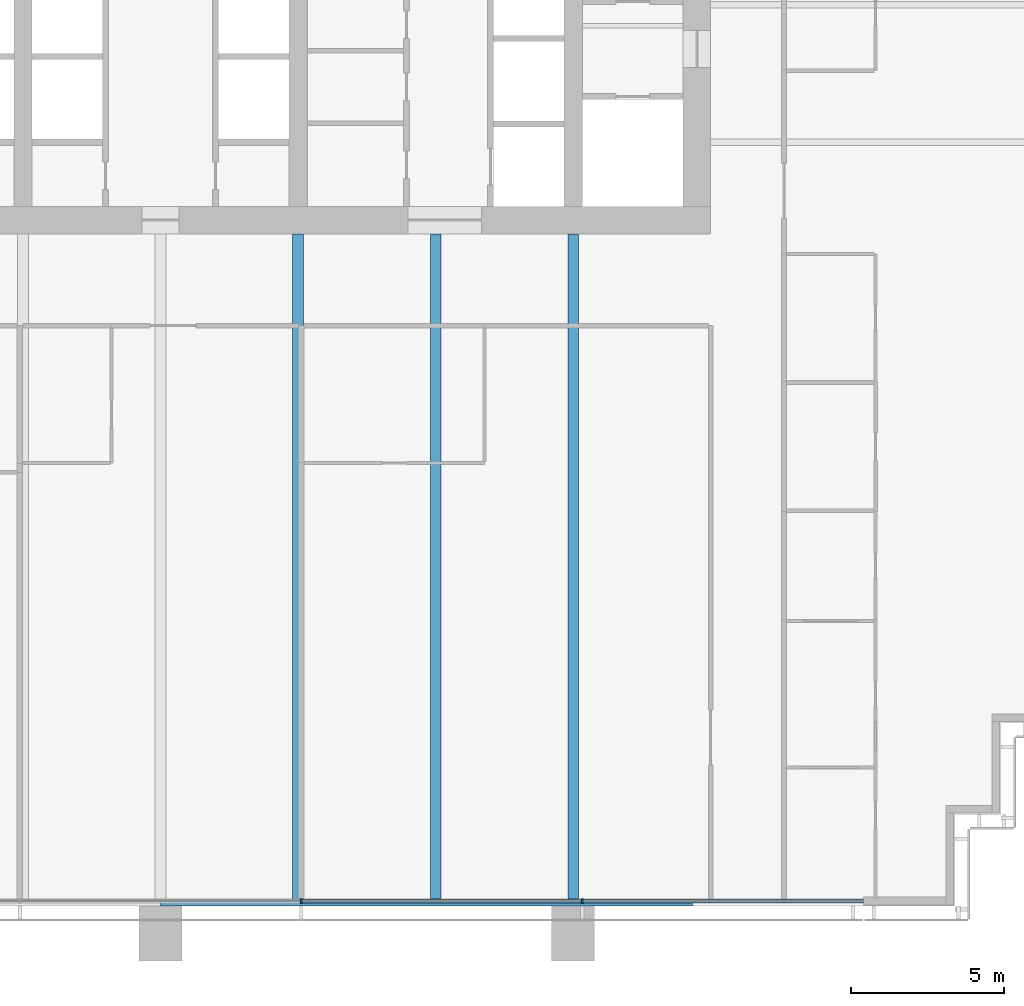
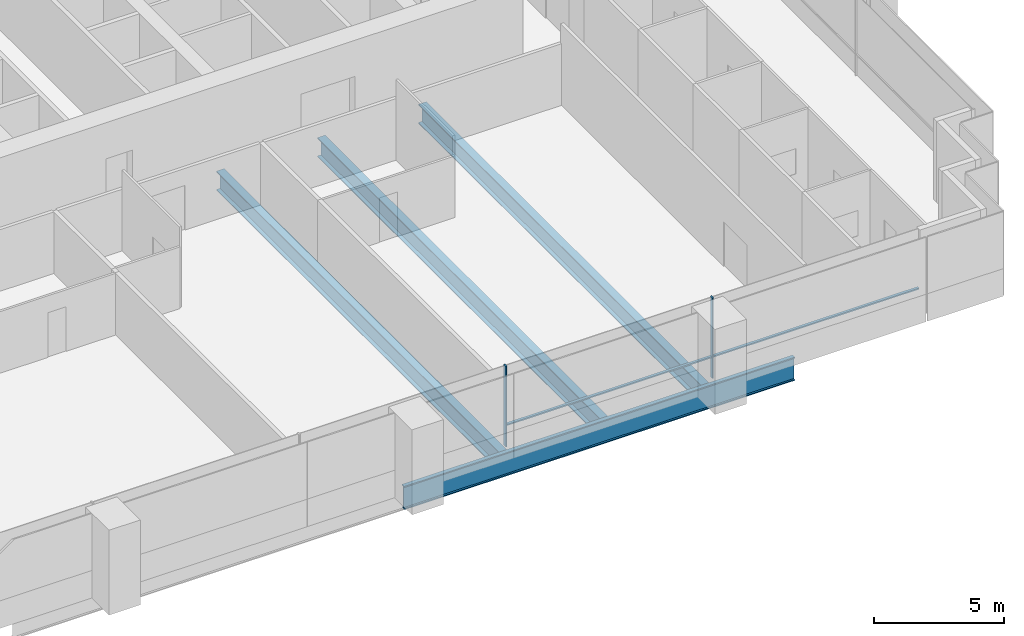
# One storey, part 5 of 17: 4 beams, 4 members, 1 element without a shape of its own.
"""IFC4 building model written with IfcOpenShell, lengths in metres."""

import ifcopenshell
import ifcopenshell.guid

model = None  # the IFC model being written
_history = None  # IfcOwnerHistory: only IFC2X3 demands one
_inside = {}  # id of a spatial element -> (the spatial element, [elements in it])
_under = {}  # id of a project, library or spatial element -> (it, [spatial elements below it])
_declared = {}  # id of a project -> (the project, [libraries it declares])
_typed = {}  # id of a type object -> (the type object, [elements of that type])
_made_of = {}  # id of a material, layer set ... -> (it, [elements and type objects made of it])


def new_model(schema):
    """Start an empty IFC model of exactly this schema.

    Asked for "IFC4X3", IfcOpenShell would pick the latest addendum, in which some entities
    have other attributes; the version numbers below select the first issue.
    IFC2X3 requires an IfcOwnerHistory on every rooted entity: one is made here for all.
    """
    global model, _history
    if schema == "IFC4X3":
        model = ifcopenshell.file(schema_version=(4, 3, 0, 0))
    else:
        model = ifcopenshell.file(schema=schema)
    _inside.clear()
    _under.clear()
    _declared.clear()
    _typed.clear()
    _made_of.clear()
    _history = None
    if model.schema == "IFC2X3":
        org = make("IfcOrganization", Name="unknown")
        user = make(
            "IfcPersonAndOrganization",
            ThePerson=make("IfcPerson", FamilyName="unknown"),
            TheOrganization=org,
        )
        app = make(
            "IfcApplication",
            ApplicationDeveloper=org,
            Version="unknown",
            ApplicationFullName="unknown",
            ApplicationIdentifier="unknown",
        )
        _history = make(
            "IfcOwnerHistory",
            OwningUser=user,
            OwningApplication=app,
            ChangeAction="ADDED",
            CreationDate=0,
        )
    return model


def make(cls, **values):
    """One entity of the class cls with the attributes given. An attribute that is None is left unset."""
    return model.create_entity(
        cls, **{name: value for name, value in values.items() if value is not None}
    )


def rooted(cls, **values):
    """An entity with a GlobalId (a new one), such as an element, a storey or a relation."""
    return make(cls, GlobalId=ifcopenshell.guid.new(), OwnerHistory=_history, **values)


def si_unit(unit_type, name, prefix=None):
    """IfcSIUnit, for example si_unit("LENGTHUNIT", "METRE", prefix="MILLI")."""
    return make("IfcSIUnit", UnitType=unit_type, Prefix=prefix, Name=name)


def assignment(units):
    """IfcUnitAssignment: the units of a project."""
    return None if units is None else make("IfcUnitAssignment", Units=units)


def point(xyz):
    """IfcCartesianPoint."""
    return None if xyz is None else make("IfcCartesianPoint", Coordinates=xyz)


def direction(xyz):
    """IfcDirection."""
    return None if xyz is None else make("IfcDirection", DirectionRatios=xyz)


def frame(location, z_axis=None, x_axis=None):
    """IfcAxis2Placement3D, a coordinate frame: its origin and axes. An axis left out is left unset."""
    return make(
        "IfcAxis2Placement3D",
        Location=point(location),
        Axis=direction(z_axis),
        RefDirection=direction(x_axis),
    )


def frame_2d(location, x_axis=None):
    """IfcAxis2Placement2D, a coordinate frame in the plane: its origin and x axis."""
    return make(
        "IfcAxis2Placement2D", Location=point(location), RefDirection=direction(x_axis)
    )


def origin():
    """The frame at (0, 0, 0) with its axes left unset."""
    return frame((0.0, 0.0, 0.0))


def origin_2d():
    """The frame at (0, 0) in the plane with its x axis left unset."""
    return frame_2d((0.0, 0.0))


def place(relative_to, where):
    """IfcLocalPlacement: puts the frame where relative to a parent placement (None: the world)."""
    return make(
        "IfcLocalPlacement", PlacementRelTo=relative_to, RelativePlacement=where
    )


def context(
    kind, dimensions, precision=None, world=None, true_north=None, identifier=None
):
    """IfcGeometricRepresentationContext, for example the 3D "Model" context."""
    return make(
        "IfcGeometricRepresentationContext",
        ContextIdentifier=identifier,
        ContextType=kind,
        CoordinateSpaceDimension=dimensions,
        Precision=precision,
        WorldCoordinateSystem=world,
        TrueNorth=true_north,
    )


def subcontext(parent, identifier, kind, view, scale=None):
    """IfcGeometricRepresentationSubContext, for example "Body" below "Model"."""
    return make(
        "IfcGeometricRepresentationSubContext",
        ContextIdentifier=identifier,
        ContextType=kind,
        ParentContext=parent,
        TargetScale=scale,
        TargetView=view,
    )


def project(units=None, contexts=None):
    """IfcProject with its units and contexts."""
    return rooted(
        "IfcProject",
        Name="project",
        RepresentationContexts=contexts,
        UnitsInContext=assignment(units),
    )


def spatial(cls, under=None, at=None, **own):
    """A site, building, storey or space (cls), placed at a placement, below another one or the project."""
    s = rooted(cls, ObjectPlacement=at, **own)
    if under is not None:
        _under.setdefault(under.id(), (under, []))[1].append(s)
    return s


def profile(cls, at=None, kind="AREA", **sizes):
    """A parametric profile (cls). Its sizes go by their IFC names, for example OverallWidth=200.0."""
    return make(cls, ProfileType=kind, Position=at, **sizes)


def rectangle(**sizes):
    """IfcRectangleProfileDef."""
    return profile("IfcRectangleProfileDef", **sizes)


def i_section(**sizes):
    """IfcIShapeProfileDef."""
    return profile("IfcIShapeProfileDef", **sizes)


def extrude(swept, where, along, depth):
    """IfcExtrudedAreaSolid: the profile swept, set in the frame where, extruded along a direction by depth."""
    return make(
        "IfcExtrudedAreaSolid",
        SweptArea=swept,
        Position=where,
        ExtrudedDirection=direction(along),
        Depth=depth,
    )


def shape(context_of_items, identifier, shape_type, items):
    """IfcShapeRepresentation: the items that make up one representation, for example the "Body"."""
    return make(
        "IfcShapeRepresentation",
        ContextOfItems=context_of_items,
        RepresentationIdentifier=identifier,
        RepresentationType=shape_type,
        Items=items,
    )


def material(Name=None, Category=None):
    """IfcMaterial."""
    return make("IfcMaterial", Name=Name, Category=Category)


def material_profile(
    of_material, cross_section, Name=None, Category=None, Priority=None
):
    """IfcMaterialProfile: a cross section and its material."""
    return make(
        "IfcMaterialProfile",
        Name=Name,
        Material=of_material,
        Profile=cross_section,
        Priority=Priority,
        Category=Category,
    )


def profile_set(profiles, Name=None, composite=None):
    """IfcMaterialProfileSet."""
    return make(
        "IfcMaterialProfileSet",
        Name=Name,
        MaterialProfiles=profiles,
        CompositeProfile=composite,
    )


def made_of(thing, what):
    """Note that an element or type object is made of a material, layer set ...; save() writes the relation."""
    if what is not None:
        _made_of.setdefault(what.id(), (what, []))[1].append(thing)
    return thing


def type_object(cls, material=None, **own):
    """A type object (cls), such as IfcWallType, which elements share."""
    return made_of(rooted(cls, **own), material)


def element(
    cls,
    number,
    at=None,
    inside=None,
    cuts=None,
    type_object=None,
    material=None,
    context=None,
    identifier="Body",
    shape_type=None,
    held_by="IfcProductDefinitionShape",
    body=None,
    shapes=None,
    **own,
):
    """One element of the class cls, such as IfcWall. Its Tag is "e" and its number.

    at: its placement. inside: the storey or other place that contains it. cuts: it is an
    opening in that element (IfcRelVoidsElement). A single representation is given by context,
    identifier, shape_type and body (its items); several are given by shapes. held_by: the class
    of the entity that holds the representations. save() writes the other relations.
    """
    e = rooted(cls, Tag="e%d" % number, ObjectPlacement=at, **own)
    if body is not None:
        shapes = [shape(context, identifier, shape_type, body)]
    if shapes is not None:
        e.Representation = make(held_by, Representations=shapes)
    if inside is not None:
        _inside.setdefault(inside.id(), (inside, []))[1].append(e)
    if cuts is not None:
        rooted(
            "IfcRelVoidsElement", RelatingBuildingElement=cuts, RelatedOpeningElement=e
        )
    if type_object is not None:
        _typed.setdefault(type_object.id(), (type_object, []))[1].append(e)
    return made_of(e, material)


def aggregate(whole, parts):
    """IfcRelAggregates: a whole, such as a stair, and the parts it consists of."""
    return rooted("IfcRelAggregates", RelatingObject=whole, RelatedObjects=parts)


def save(model, path):
    """Write the relations noted so far, then the file.

    IfcRelAggregates (storeys below a building ...), IfcRelContainedInSpatialStructure (elements
    in a storey), IfcRelDefinesByType, IfcRelAssociatesMaterial and IfcRelDeclares: one each for
    every whole, place, type object, material and project.
    """
    for whole, parts in _under.values():
        aggregate(whole, parts)
    for where, things in _inside.values():
        rooted(
            "IfcRelContainedInSpatialStructure",
            RelatedElements=things,
            RelatingStructure=where,
        )
    for kind, things in _typed.values():
        rooted("IfcRelDefinesByType", RelatedObjects=things, RelatingType=kind)
    for what, things in _made_of.values():
        rooted("IfcRelAssociatesMaterial", RelatedObjects=things, RelatingMaterial=what)
    for by, libraries in _declared.values():
        rooted("IfcRelDeclares", RelatingContext=by, RelatedDefinitions=libraries)
    model.write(path)


model = new_model("IFC4")

# Units and contexts
model_context = context("Model", 3, precision=1e-05, world=origin(), true_north=direction((0.0, 1.0)))
body_context = subcontext(model_context, "Body", "Model", "MODEL_VIEW")
ifc_project = project(units=[si_unit("LENGTHUNIT", "METRE"), si_unit("AREAUNIT", "SQUARE_METRE"), si_unit("VOLUMEUNIT", "CUBIC_METRE"), si_unit("PLANEANGLEUNIT", "RADIAN"), si_unit("MASSUNIT", "GRAM", prefix="KILO")], contexts=[model_context])

# Site, building, storey
site_placement = place(None, origin())
site = spatial("IfcSite", under=ifc_project, at=site_placement, CompositionType="ELEMENT")
building_placement = place(site_placement, origin())
building = spatial("IfcBuilding", under=site, at=building_placement, Name="Rattan Terrace Tower", CompositionType="ELEMENT")
storey_placement = place(building_placement, frame((0.0, 0.0, 146.10009765625)))
storey = spatial("IfcBuildingStorey", under=building, at=storey_placement, Name="L33", CompositionType="ELEMENT", Elevation=146.10009765625)

# Curtain wall, members
ifc_material_1 = material(Name="Aluminium and glass", Category="aluminium")
curtain_wall_type = type_object("IfcCurtainWallType", Name="Facade Unitised Curtain Wall", PredefinedType="NOTDEFINED", material=ifc_material_1)
curtain_wall_placement = place(storey_placement, origin())
curtain_wall = element("IfcCurtainWall", 1, at=curtain_wall_placement, inside=storey, type_object=curtain_wall_type, Name="Curtain wall L33-4", PredefinedType="NOTDEFINED")
ifc_material_2 = material(Name="Aluminium", Category="aluminium")
ifc_material_profile_1 = material_profile(ifc_material_2, rectangle(XDim=0.06005859375, YDim=0.159912109375, at=origin_2d()), Name="Aluminium 60x160")
ifc_profile_set_1 = profile_set([ifc_material_profile_1], Name="Aluminium")
member_type_1 = type_object("IfcMemberType", Name="Facade CW Mullion 60x160", PredefinedType="MULLION", material=ifc_profile_set_1)
member_1_placement = place(storey_placement, frame((4.60302734375, -29.330078125, 0.0), z_axis=(0.0, 0.0, 1.0), x_axis=(1.0, 0.0, 0.0)))
member_1 = element("IfcMember", 2, at=member_1_placement, type_object=member_type_1, Name="Mullion cwl-L33-004.4", PredefinedType="MULLION", context=body_context, shape_type="SweptSolid", body=[
    extrude(rectangle(XDim=0.06005859375, YDim=0.159912109375, at=origin_2d()), origin(), (0.0, 0.0, 1.0), 3.7998046875),
])
member_2_placement = place(storey_placement, frame((13.803955078125, -29.330078125, 0.0), z_axis=(0.0, 0.0, 1.0), x_axis=(1.0, 0.0, 0.0)))
member_2 = element("IfcMember", 3, at=member_2_placement, type_object=member_type_1, Name="Mullion cwl-L33-004.5", PredefinedType="MULLION", context=body_context, shape_type="SweptSolid", body=[
    extrude(rectangle(XDim=0.06005859375, YDim=0.159912109375, at=origin_2d()), origin(), (0.0, 0.0, 1.0), 3.7998046875),
])
ifc_material_3 = material(Name="Aluminium", Category="aluminium")
ifc_material_profile_2 = material_profile(ifc_material_3, rectangle(XDim=0.1201171875, YDim=0.06005859375, at=origin_2d()), Name="Aluminium 120x60")
ifc_profile_set_2 = profile_set([ifc_material_profile_2], Name="Aluminium")
member_type_2 = type_object("IfcMemberType", Name="Facade CW Transom 120x60", PredefinedType="USERDEFINED", material=ifc_profile_set_2)
member_3_placement = place(storey_placement, frame((4.633056640625, -29.330078125, 1.0), z_axis=(1.0, 0.0, 0.0), x_axis=(0.0, 1.0, 0.0)))
member_3 = element("IfcMember", 4, at=member_3_placement, type_object=member_type_2, Name="Transom cwl-L33-004.4", ObjectType="TRANSOM", PredefinedType="USERDEFINED", context=body_context, shape_type="SweptSolid", body=[
    extrude(rectangle(XDim=0.1201171875, YDim=0.06005859375, at=origin_2d()), origin(), (0.0, 0.0, 1.0), 9.140869140625),
])
member_4_placement = place(storey_placement, frame((13.833984375, -29.330078125, 1.0), z_axis=(1.0, 0.0, 0.0), x_axis=(0.0, 1.0, 0.0)))
member_4 = element("IfcMember", 5, at=member_4_placement, type_object=member_type_2, Name="Transom cwl-L33-004.5", ObjectType="TRANSOM", PredefinedType="USERDEFINED", context=body_context, shape_type="SweptSolid", body=[
    extrude(rectangle(XDim=0.1201171875, YDim=0.06005859375, at=origin_2d()), origin(), (0.0, 0.0, 1.0), 9.166015625),
])
aggregate(curtain_wall, [member_1, member_2, member_3, member_4])

# Beams
ifc_material_4 = material(Name="Steel S460", Category="steel")
ifc_material_profile_3 = material_profile(ifc_material_4, i_section(OverallWidth=0.179931640625, OverallDepth=1.10009765625, WebThickness=0.01611328125, FlangeThickness=0.050048828125, at=origin_2d()), Name="PG 1100x180-16-50")
ifc_profile_set_3 = profile_set([ifc_material_profile_3], Name="Steel S460")
beam_type_1 = type_object("IfcBeamType", Name="Frame edge girder PG 1100x180-16-50", PredefinedType="SPANDREL", material=ifc_profile_set_3)
beam_placement = place(storey_placement, frame((17.39990234375, -29.409912109375, -0.75), z_axis=(-1.0, 0.0, 0.0), x_axis=(0.0, -1.0, 0.0)))
element("IfcBeam", 6, at=beam_placement, inside=storey, type_object=beam_type_1, Name="gdr-L33-002", PredefinedType="SPANDREL", context=body_context, shape_type="SweptSolid", body=[
    extrude(i_section(OverallWidth=0.179931640625, OverallDepth=1.10009765625, WebThickness=0.01611328125, FlangeThickness=0.050048828125, at=origin_2d()), origin(), (0.0, 0.0, 1.0), 17.39990234375),
])
ifc_material_5 = material(Name="Steel S460", Category="steel")
ifc_material_profile_4 = material_profile(ifc_material_5, i_section(OverallWidth=0.35009765625, OverallDepth=0.89990234375, WebThickness=0.013916015625, FlangeThickness=0.0400390625, at=origin_2d()), Name="PG 900x350-14-40")
ifc_profile_set_4 = profile_set([ifc_material_profile_4], Name="Steel S460")
beam_type_2 = type_object("IfcBeamType", Name="Frame floor beam PG 900x350-14-40", PredefinedType="JOIST", material=ifc_profile_set_4)
for number, where, z_axis, x_axis, name in (
    (7, (4.5, -29.320068359375, -0.650146484375), (0.0, 1.0, 0.0), (-1.0, 0.0, 0.0), "bm-L33-007"),
    (8, (9.0, -29.320068359375, -0.650146484375), (0.0, 1.0, 0.0), (-1.0, 0.0, 0.0), "bm-L33-008"),
    (9, (13.5, -29.320068359375, -0.650146484375), (0.0, 1.0, 0.0), (-1.0, 0.0, 0.0), "bm-L33-009"),
):
    element("IfcBeam", number, at=place(storey_placement, frame(where, z_axis=z_axis, x_axis=x_axis)), inside=storey, type_object=beam_type_2, Name=name, PredefinedType="JOIST", context=body_context, shape_type="SweptSolid", body=[
        extrude(i_section(OverallWidth=0.35009765625, OverallDepth=0.89990234375, WebThickness=0.013916015625, FlangeThickness=0.0400390625, at=origin_2d()), origin(), (0.0, 0.0, 1.0), 21.820068359375),
    ])

save(model, "model.ifc")
